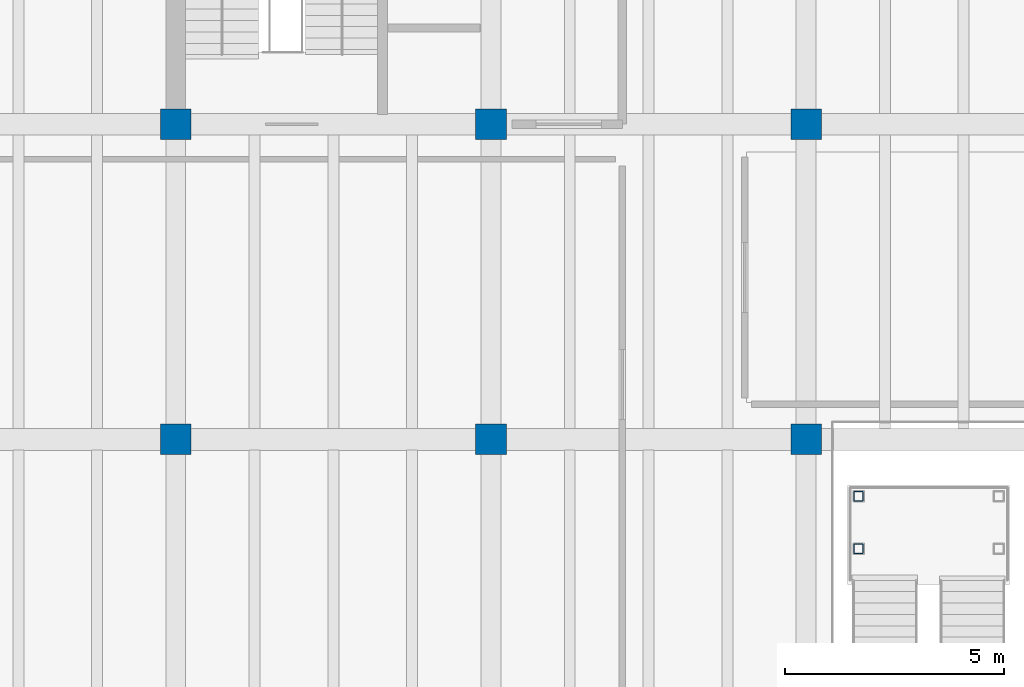
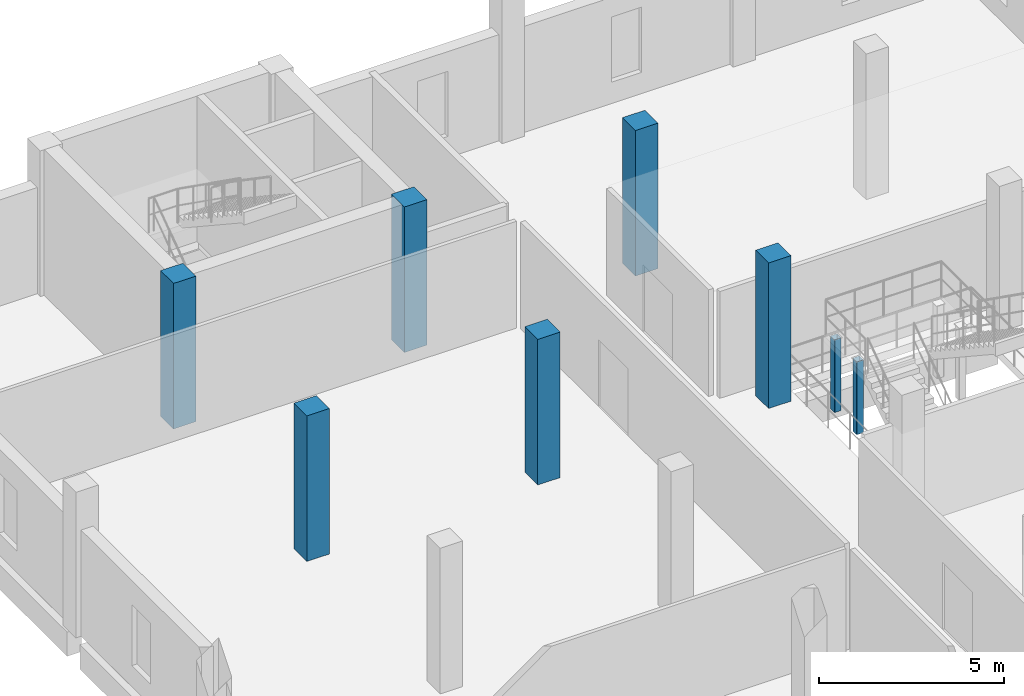
# One storey, part 16 of 77: 8 columns.
"""IFC4 building model written with IfcOpenShell, lengths in metres."""

from ifc_helpers import new_model, si_unit, direction, frame, origin, origin_2d, place, context, subcontext, project, spatial, rectangle, hollow_rectangle, extrude, material, material_profile, profile_set, type_object, element, save


model = new_model("IFC4")

# Units and contexts
model_context = context("Model", 3, precision=1e-05, world=origin(), true_north=direction((0.0, 1.0)))
body_context = subcontext(model_context, "Body", "Model", "MODEL_VIEW")
ifc_project = project(units=[si_unit("LENGTHUNIT", "METRE"), si_unit("AREAUNIT", "SQUARE_METRE"), si_unit("VOLUMEUNIT", "CUBIC_METRE"), si_unit("PLANEANGLEUNIT", "RADIAN"), si_unit("MASSUNIT", "GRAM", prefix="KILO")], contexts=[model_context])

# Site, building, storey
site_placement = place(None, origin())
site = spatial("IfcSite", under=ifc_project, at=site_placement, CompositionType="ELEMENT")
building_placement = place(site_placement, origin())
building = spatial("IfcBuilding", under=site, at=building_placement, Name="Qiaolan Assembly House", CompositionType="ELEMENT")
storey_placement = place(building_placement, frame((0.0, 0.0, 5.39990234375)))
storey = spatial("IfcBuildingStorey", under=building, at=storey_placement, Name="L01", CompositionType="ELEMENT", Elevation=5.39990234375)

# Columns
ifc_material_1 = material(Name="Concrete C40/50", Category="concrete")
ifc_material_profile_1 = material_profile(ifc_material_1, rectangle(XDim=0.699951171875, YDim=0.699951171875, at=origin_2d()), Name="RC 700x700")
ifc_profile_set_1 = profile_set([ifc_material_profile_1], Name="Concrete C40/50")
column_type_1 = type_object("IfcColumnType", Name="COL-RC-700", PredefinedType="COLUMN", material=ifc_profile_set_1)
for number, where, z_axis, x_axis, name in (
    (1, (144.0, 72.0, 0.0), (0.0, 0.0, 1.0), (1.0, 0.0, 0.0), "RC-07 library column L01"),
    (2, (144.0, 79.199951171875, 0.0), (0.0, 0.0, 1.0), (1.0, 0.0, 0.0), "RC-07 library column L01"),
    (3, (151.199951171875, 72.0, 0.0), (0.0, 0.0, 1.0), (1.0, 0.0, 0.0), "RC-07 library column L01"),
    (4, (151.199951171875, 79.199951171875, 0.0), (0.0, 0.0, 1.0), (1.0, 0.0, 0.0), "RC-07 library column L01"),
    (5, (158.39990234375, 72.0, 0.0), (0.0, 0.0, 1.0), (1.0, 0.0, 0.0), "RC-07 library column L01"),
    (6, (158.39990234375, 79.199951171875, 0.0), (0.0, 0.0, 1.0), (1.0, 0.0, 0.0), "RC-07 library column L01"),
):
    element("IfcColumn", number, at=place(storey_placement, frame(where, z_axis=z_axis, x_axis=x_axis)), inside=storey, type_object=column_type_1, Name=name, PredefinedType="COLUMN", context=body_context, shape_type="SweptSolid", body=[
        extrude(rectangle(XDim=0.699951171875, YDim=0.699951171875, at=origin_2d()), origin(), (0.0, 0.0, 1.0), 4.800048828125),
    ])
ifc_material_2 = material(Name="Steel Q355B", Category="steel")
ifc_material_profile_2 = material_profile(ifc_material_2, hollow_rectangle(XDim=0.219970703125, YDim=0.219970703125, WallThickness=0.010009765625, InnerFilletRadius=0.010009765625, OuterFilletRadius=0.02001953125, at=origin_2d()), Name="SHS 220x220x10")
ifc_profile_set_2 = profile_set([ifc_material_profile_2], Name="Steel Q355B")
column_type_2 = type_object("IfcColumnType", Name="COL-STL-SHS220", PredefinedType="COLUMN", material=ifc_profile_set_2)
for number, where, z_axis, x_axis, name in (
    (7, (159.60009765625, 69.5, 0.0), (0.0, 0.0, 1.0), (1.0, 0.0, 0.0), "SC-08 library stair L01 column 1"),
    (8, (159.60009765625, 70.699951171875, 0.0), (0.0, 0.0, 1.0), (1.0, 0.0, 0.0), "SC-08 library stair L01 column 3"),
):
    element("IfcColumn", number, at=place(storey_placement, frame(where, z_axis=z_axis, x_axis=x_axis)), inside=storey, type_object=column_type_2, Name=name, PredefinedType="COLUMN", context=body_context, shape_type="SweptSolid", body=[
        extrude(hollow_rectangle(XDim=0.219970703125, YDim=0.219970703125, WallThickness=0.010009765625, InnerFilletRadius=0.010009765625, OuterFilletRadius=0.02001953125, at=origin_2d()), origin(), (0.0, 0.0, 1.0), 2.400146484375),
    ])

save(model, "model.ifc")
